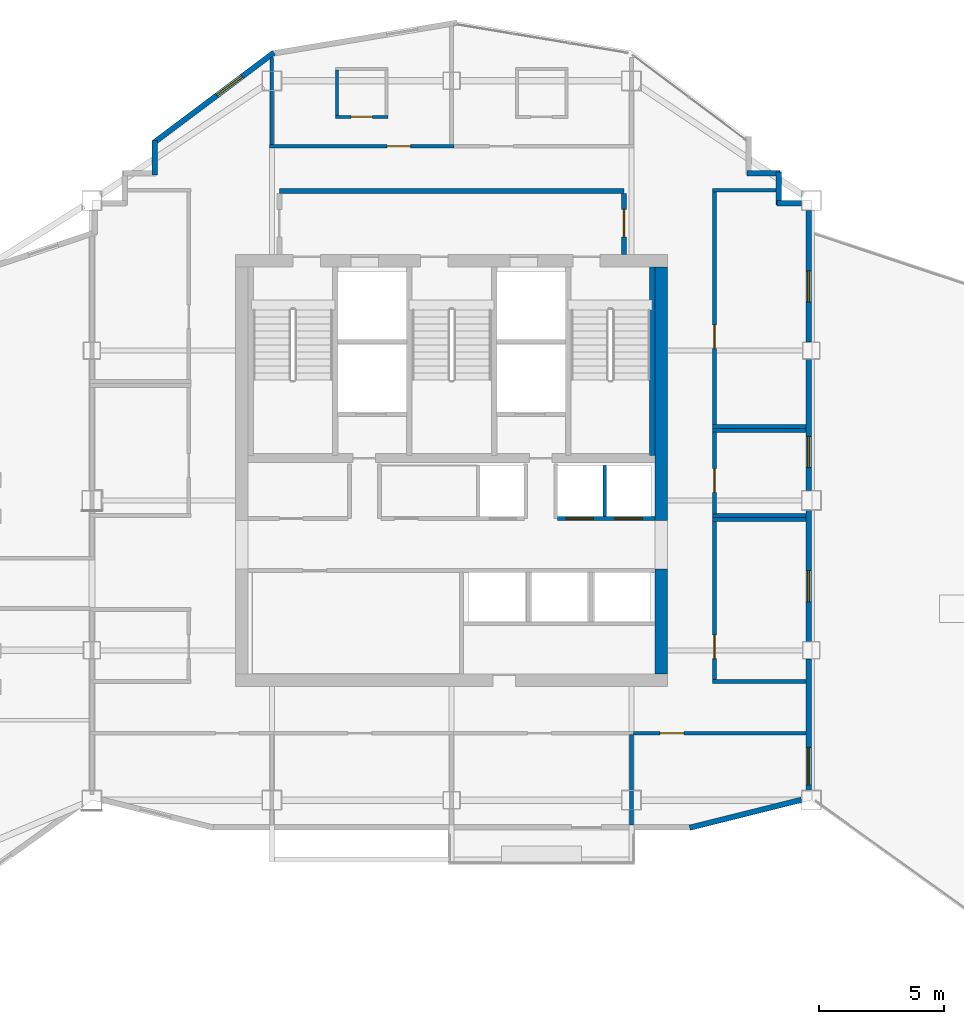
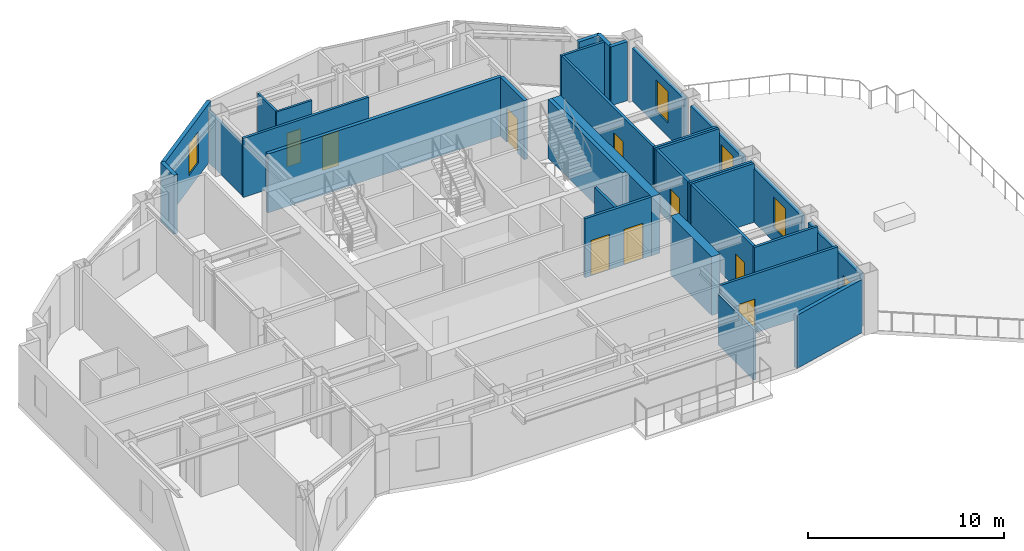
# One storey, part 7 of 10: 32 walls, 10 doors, 4 windows, 14 openings.
"""IFC4 building model written with IfcOpenShell, lengths in metres."""

from ifc_helpers import new_model, si_unit, direction, frame, frame_2d, origin, place, context, subcontext, project, spatial, rectangle, extrude, material, layer, layer_set, type_object, element, fill, save


model = new_model("IFC4")

# Units and contexts
model_context = context("Model", 3, precision=1e-05, world=origin(), true_north=direction((0.0, 1.0)))
body_context = subcontext(model_context, "Body", "Model", "MODEL_VIEW")
ifc_project = project(units=[si_unit("LENGTHUNIT", "METRE"), si_unit("AREAUNIT", "SQUARE_METRE"), si_unit("VOLUMEUNIT", "CUBIC_METRE"), si_unit("PLANEANGLEUNIT", "RADIAN"), si_unit("MASSUNIT", "GRAM", prefix="KILO")], contexts=[model_context])

# Site, building, storey
site_placement = place(None, origin())
site = spatial("IfcSite", under=ifc_project, at=site_placement, CompositionType="ELEMENT")
building_placement = place(site_placement, origin())
building = spatial("IfcBuilding", under=site, at=building_placement, Name="Haolan Belvedere Tower", CompositionType="ELEMENT")
storey_placement = place(building_placement, frame((0.0, 0.0, 235.199951171875)))
storey = spatial("IfcBuildingStorey", under=building, at=storey_placement, Name="L59", CompositionType="ELEMENT", Elevation=235.199951171875)

# Walls
ifc_material_1 = material(Name="Concrete C50/60", Category="concrete")
ifc_layer_1 = layer(ifc_material_1, 0.5, Name="Concrete C50/60")
ifc_layer_set_1 = layer_set([ifc_layer_1], Name="Concrete C50/60")
wall_type_1 = type_object("IfcWallType", Name="WL-CORE-500", PredefinedType="SHEAR", material=ifc_layer_set_1)
wall_1_placement = place(storey_placement, frame((46.800048828125, 26.64990234375, 0.0), z_axis=(0.0, 0.0, 1.0), x_axis=(0.0, 1.0, 0.0)))
element("IfcWall", 1, at=wall_1_placement, inside=storey, type_object=wall_type_1, Name="L59 central core shear wall ES", PredefinedType="SHEAR", context=body_context, shape_type="SweptSolid", body=[
    extrude(rectangle(XDim=4.2001953125, YDim=0.5, at=frame_2d((2.10009765625, 0.0))), origin(), (0.0, 0.0, 1.0), 3.670166015625),
])
wall_2_placement = place(storey_placement, frame((46.800048828125, 32.800048828125, 0.0), z_axis=(0.0, 0.0, 1.0), x_axis=(0.0, 1.0, 0.0)))
element("IfcWall", 2, at=wall_2_placement, inside=storey, type_object=wall_type_1, Name="L59 central core shear wall EN", PredefinedType="SHEAR", context=body_context, shape_type="SweptSolid", body=[
    extrude(rectangle(XDim=10.14990234375, YDim=0.5, at=frame_2d((5.074951171875, 0.0))), origin(), (0.0, 0.0, 1.0), 3.670166015625),
])
ifc_material_2 = material(Name="Precast concrete C40/50", Category="concrete")
ifc_layer_2 = layer(ifc_material_2, 0.219970703125, Name="Precast concrete C40/50")
ifc_layer_set_2 = layer_set([ifc_layer_2], Name="Precast concrete C40/50")
wall_type_2 = type_object("IfcWallType", Name="WL-EXT-220", PredefinedType="SOLIDWALL", material=ifc_layer_set_2)
wall_3_placement = place(storey_placement, frame((47.93310546875, 20.49658203125, 0.0), z_axis=(0.0, 0.0, 1.0), x_axis=(0.970133159038, 0.242572986408, 0.0)))
element("IfcWall", 3, at=wall_3_placement, inside=storey, type_object=wall_type_2, Name="L59 pale-metal exterior spandrel wall 2.1", PredefinedType="SOLIDWALL", context=body_context, shape_type="SweptSolid", body=[
    extrude(rectangle(XDim=4.612548828125, YDim=0.219970703125, at=frame_2d((2.30615234375, 0.0))), origin(), (0.0, 0.0, 1.0), 3.31494140625),
])

# Wall, opening, door
wall_4_placement = place(storey_placement, frame((52.68994140625, 21.991943359375, 0.0), z_axis=(0.0, 0.0, 1.0), x_axis=(0.0, 1.0, 0.0)))
wall_4 = element("IfcWall", 4, at=wall_4_placement, inside=storey, type_object=wall_type_2, Name="L59 pale-metal exterior spandrel wall 3.1", PredefinedType="SOLIDWALL", context=body_context, shape_type="SweptSolid", body=[
    extrude(rectangle(XDim=5.26611328125, YDim=0.219970703125, at=frame_2d((2.633056640625, 0.0))), origin(), (0.0, 0.0, 1.0), 3.31494140625),
])
opening_1_placement = place(wall_4_placement, frame((1.719970703125, 0.0, 0.0), z_axis=(0.0, 0.0, 1.0), x_axis=(-1.0, 0.0, 0.0)))
opening_1 = element("IfcOpeningElement", 5, at=opening_1_placement, cuts=wall_4, Name="Opening TD-01", PredefinedType="OPENING", context=body_context, shape_type="SweptSolid", body=[
    extrude(rectangle(XDim=1.5, YDim=2.199951171875, at=frame_2d((0.75, 1.10009765625))), frame((0.0, 0.119873046875, 0.0), z_axis=(0.0, -1.0, 0.0), x_axis=(1.0, 0.0, 0.0)), (0.0, 0.0, 1.0), 0.239990234375),
])
ifc_material_3 = material(Name="Thermally broken pale-metal aluminium and Low-E glass", Category="aluminium")
door_type_1 = type_object("IfcDoorType", Name="DR-TER-1500", OperationType="DOUBLE_DOOR_SINGLE_SWING", PredefinedType="DOOR", material=ifc_material_3)
door_1_placement = place(opening_1_placement, origin())
door_1 = element("IfcDoor", 6, at=door_1_placement, inside=storey, type_object=door_type_1, Name="L59 garden terrace access door 1", OperationType="DOUBLE_DOOR_SINGLE_SWING", OverallHeight=2.199951171875, OverallWidth=1.5, PredefinedType="DOOR", context=body_context, shape_type="SweptSolid", body=[
    extrude(rectangle(XDim=1.5, YDim=2.199951171875, at=frame_2d((0.75, 1.10009765625))), frame((0.0, 0.02490234375, 0.0), z_axis=(0.0, -1.0, 0.0), x_axis=(1.0, 0.0, 0.0)), (0.0, 0.0, 1.0), 0.050048828125),
])
fill(opening_1, door_1)

# Wall, opening, window
wall_5_placement = place(storey_placement, frame((52.68994140625, 27.94189453125, 0.0), z_axis=(0.0, 0.0, 1.0), x_axis=(0.0, 1.0, 0.0)))
wall_5 = element("IfcWall", 7, at=wall_5_placement, inside=storey, type_object=wall_type_2, Name="L59 pale-metal exterior spandrel wall 3.2", PredefinedType="SOLIDWALL", context=body_context, shape_type="SweptSolid", body=[
    extrude(rectangle(XDim=5.26611328125, YDim=0.219970703125, at=frame_2d((2.633056640625, 0.0))), origin(), (0.0, 0.0, 1.0), 3.31494140625),
])
opening_2_placement = place(wall_5_placement, frame((1.60009765625, 0.0, 0.85009765625)))
opening_2 = element("IfcOpeningElement", 8, at=opening_2_placement, cuts=wall_5, Name="Opening W-04", PredefinedType="OPENING", context=body_context, shape_type="SweptSolid", body=[
    extrude(rectangle(XDim=1.25, YDim=1.949951171875, at=frame_2d((0.625, 0.97509765625))), frame((0.0, 0.119873046875, 0.0), z_axis=(0.0, -1.0, 0.0), x_axis=(1.0, 0.0, 0.0)), (0.0, 0.0, 1.0), 0.239990234375),
])
ifc_material_4 = material(Name="Anodised aluminium 6063-T6 and Low-E glass", Category="aluminium")
window_type = type_object("IfcWindowType", Name="WN-DECO-Z4", PartitioningType="SINGLE_PANEL", PredefinedType="WINDOW", material=ifc_material_4)
window_1_placement = place(opening_2_placement, origin())
window_1 = element("IfcWindow", 9, at=window_1_placement, inside=storey, type_object=window_type, Name="L59 Art Deco chevron window 1", OverallHeight=1.949951171875, OverallWidth=1.25, PartitioningType="SINGLE_PANEL", PredefinedType="WINDOW", context=body_context, shape_type="SweptSolid", body=[
    extrude(rectangle(XDim=1.25, YDim=1.949951171875, at=frame_2d((0.625, 0.97509765625))), frame((0.0, 0.030029296875, 0.0), z_axis=(0.0, -1.0, 0.0), x_axis=(1.0, 0.0, 0.0)), (0.0, 0.0, 1.0), 0.06005859375),
])
fill(opening_2, window_1)

wall_6_placement = place(storey_placement, frame((52.68994140625, 33.991943359375, 0.0), z_axis=(0.0, 0.0, 1.0), x_axis=(0.0, 1.0, 0.0)))
wall_6 = element("IfcWall", 10, at=wall_6_placement, inside=storey, type_object=wall_type_2, Name="L59 pale-metal exterior spandrel wall 3.3", PredefinedType="SOLIDWALL", context=body_context, shape_type="SweptSolid", body=[
    extrude(rectangle(XDim=5.26611328125, YDim=0.219970703125, at=frame_2d((2.633056640625, 0.0))), origin(), (0.0, 0.0, 1.0), 3.31494140625),
])
opening_3_placement = place(wall_6_placement, frame((0.923095703125, 0.0, 0.85009765625)))
opening_3 = element("IfcOpeningElement", 11, at=opening_3_placement, cuts=wall_6, Name="Opening W-04", PredefinedType="OPENING", context=body_context, shape_type="SweptSolid", body=[
    extrude(rectangle(XDim=1.25, YDim=1.949951171875, at=frame_2d((0.625, 0.97509765625))), frame((0.0, 0.119873046875, 0.0), z_axis=(0.0, -1.0, 0.0), x_axis=(1.0, 0.0, 0.0)), (0.0, 0.0, 1.0), 0.239990234375),
])
window_2_placement = place(opening_3_placement, origin())
window_2 = element("IfcWindow", 12, at=window_2_placement, inside=storey, type_object=window_type, Name="L59 Art Deco chevron window 1", OverallHeight=1.949951171875, OverallWidth=1.25, PartitioningType="SINGLE_PANEL", PredefinedType="WINDOW", context=body_context, shape_type="SweptSolid", body=[
    extrude(rectangle(XDim=1.25, YDim=1.949951171875, at=frame_2d((0.625, 0.97509765625))), frame((0.0, 0.030029296875, 0.0), z_axis=(0.0, -1.0, 0.0), x_axis=(1.0, 0.0, 0.0)), (0.0, 0.0, 1.0), 0.06005859375),
])
fill(opening_3, window_2)

wall_7_placement = place(storey_placement, frame((52.68994140625, 39.94189453125, 0.0), z_axis=(0.0, 0.0, 1.0), x_axis=(0.0, 1.0, 0.0)))
wall_7 = element("IfcWall", 13, at=wall_7_placement, inside=storey, type_object=wall_type_2, Name="L59 pale-metal exterior spandrel wall 3.4", PredefinedType="SOLIDWALL", context=body_context, shape_type="SweptSolid", body=[
    extrude(rectangle(XDim=5.26611328125, YDim=0.219970703125, at=frame_2d((2.633056640625, 0.0))), origin(), (0.0, 0.0, 1.0), 3.31494140625),
])
opening_4_placement = place(wall_7_placement, frame((1.60009765625, 0.0, 0.85009765625)))
opening_4 = element("IfcOpeningElement", 14, at=opening_4_placement, cuts=wall_7, Name="Opening W-04", PredefinedType="OPENING", context=body_context, shape_type="SweptSolid", body=[
    extrude(rectangle(XDim=1.25, YDim=1.949951171875, at=frame_2d((0.625, 0.97509765625))), frame((0.0, 0.119873046875, 0.0), z_axis=(0.0, -1.0, 0.0), x_axis=(1.0, 0.0, 0.0)), (0.0, 0.0, 1.0), 0.239990234375),
])
window_3_placement = place(opening_4_placement, origin())
window_3 = element("IfcWindow", 15, at=window_3_placement, inside=storey, type_object=window_type, Name="L59 Art Deco chevron window 1", OverallHeight=1.949951171875, OverallWidth=1.25, PartitioningType="SINGLE_PANEL", PredefinedType="WINDOW", context=body_context, shape_type="SweptSolid", body=[
    extrude(rectangle(XDim=1.25, YDim=1.949951171875, at=frame_2d((0.625, 0.97509765625))), frame((0.0, 0.030029296875, 0.0), z_axis=(0.0, -1.0, 0.0), x_axis=(1.0, 0.0, 0.0)), (0.0, 0.0, 1.0), 0.06005859375),
])
fill(opening_4, window_3)

# Walls
wall_8_placement = place(storey_placement, frame((52.407958984375, 45.489990234375, 0.0), z_axis=(0.0, 0.0, 1.0), x_axis=(-1.0, 0.0, 0.0)))
element("IfcWall", 16, at=wall_8_placement, inside=storey, type_object=wall_type_2, Name="L59 pale-metal exterior spandrel wall 4.1", PredefinedType="SOLIDWALL", context=body_context, shape_type="SweptSolid", body=[
    extrude(rectangle(XDim=0.972900390625, YDim=0.219970703125, at=frame_2d((0.486328125, 0.0))), origin(), (0.0, 0.0, 1.0), 3.670166015625),
])
wall_9_placement = place(storey_placement, frame((51.489990234375, 45.43505859375, 0.0), z_axis=(0.0, 0.0, 1.0), x_axis=(0.0, 1.0, 0.0)))
element("IfcWall", 17, at=wall_9_placement, inside=storey, type_object=wall_type_2, Name="L59 pale-metal exterior spandrel wall 5.1", PredefinedType="SOLIDWALL", context=body_context, shape_type="SweptSolid", body=[
    extrude(rectangle(XDim=1.31005859375, YDim=0.219970703125, at=frame_2d((0.655029296875, 0.0))), origin(), (0.0, 0.0, 1.0), 3.670166015625),
])
wall_10_placement = place(storey_placement, frame((51.544921875, 46.68994140625, 0.0), z_axis=(0.0, 0.0, 1.0), x_axis=(-1.0, 0.0, 0.0)))
element("IfcWall", 18, at=wall_10_placement, inside=storey, type_object=wall_type_2, Name="L59 pale-metal exterior spandrel wall 6.1", PredefinedType="SOLIDWALL", context=body_context, shape_type="SweptSolid", body=[
    extrude(rectangle(XDim=1.309814453125, YDim=0.219970703125, at=frame_2d((0.65478515625, 0.0))), origin(), (0.0, 0.0, 1.0), 3.670166015625),
])

# Wall, opening, window
wall_11_placement = place(storey_placement, frame((31.28857421875, 51.52880859375, 0.0), z_axis=(0.0, 0.0, 1.0), x_axis=(-0.800014580093, -0.599980559383, 0.0)))
wall_11 = element("IfcWall", 19, at=wall_11_placement, inside=storey, type_object=wall_type_2, Name="L59 pale-metal exterior spandrel wall 11.1", PredefinedType="SOLIDWALL", context=body_context, shape_type="SweptSolid", body=[
    extrude(rectangle(XDim=6.028076171875, YDim=0.219970703125, at=frame_2d((3.01416015625, 0.0))), origin(), (0.0, 0.0, 1.0), 3.670166015625),
])
opening_5_placement = place(wall_11_placement, frame((1.60009765625, 0.0, 0.85009765625)))
opening_5 = element("IfcOpeningElement", 20, at=opening_5_placement, cuts=wall_11, Name="Opening W-04", PredefinedType="OPENING", context=body_context, shape_type="SweptSolid", body=[
    extrude(rectangle(XDim=1.25, YDim=1.949951171875, at=frame_2d((0.625, 0.97509765625))), frame((0.0, 0.119873046875, 0.0), z_axis=(0.0, -1.0, 0.0), x_axis=(1.0, 0.0, 0.0)), (0.0, 0.0, 1.0), 0.239990234375),
])
window_4_placement = place(opening_5_placement, origin())
window_4 = element("IfcWindow", 21, at=window_4_placement, inside=storey, type_object=window_type, Name="L59 Art Deco chevron window 1", OverallHeight=1.949951171875, OverallWidth=1.25, PartitioningType="SINGLE_PANEL", PredefinedType="WINDOW", context=body_context, shape_type="SweptSolid", body=[
    extrude(rectangle(XDim=1.25, YDim=1.949951171875, at=frame_2d((0.625, 0.97509765625))), frame((0.0, 0.030029296875, 0.0), z_axis=(0.0, -1.0, 0.0), x_axis=(1.0, 0.0, 0.0)), (0.0, 0.0, 1.0), 0.06005859375),
])
fill(opening_5, window_4)

# Walls
wall_12_placement = place(storey_placement, frame((26.510009765625, 48.0, 0.0), z_axis=(0.0, 0.0, 1.0), x_axis=(0.0, -1.0, 0.0)))
element("IfcWall", 22, at=wall_12_placement, inside=storey, type_object=wall_type_2, Name="L59 pale-metal exterior spandrel wall 12.1", PredefinedType="SOLIDWALL", context=body_context, shape_type="SweptSolid", body=[
    extrude(rectangle(XDim=1.364990234375, YDim=0.219970703125, at=frame_2d((0.6826171875, 0.0))), origin(), (0.0, 0.0, 1.0), 3.670166015625),
])
ifc_material_5 = material(Name="Concrete C40/50", Category="concrete")
ifc_layer_3 = layer(ifc_material_5, 0.199951171875, Name="Concrete C40/50")
ifc_layer_set_3 = layer_set([ifc_layer_3], Name="Concrete C40/50")
wall_type_3 = type_object("IfcWallType", Name="WL-FIRE-200", PredefinedType="SOLIDWALL", material=ifc_layer_set_3)
wall_13_placement = place(storey_placement, frame((31.5, 45.97998046875, 0.0), z_axis=(0.0, 0.0, 1.0), x_axis=(1.0, 0.0, 0.0)))
element("IfcWall", 23, at=wall_13_placement, inside=storey, type_object=wall_type_3, Name="L59 interior partition IW-L59-FFL-N", PredefinedType="SOLIDWALL", context=body_context, shape_type="SweptSolid", body=[
    extrude(rectangle(XDim=13.800048828125, YDim=0.199951171875, at=frame_2d((6.89990234375, 0.0))), origin(), (0.0, 0.0, 1.0), 3.670166015625),
])

# Wall, opening, door
wall_14_placement = place(storey_placement, frame((45.300048828125, 43.449951171875, 0.0), z_axis=(0.0, 0.0, 1.0), x_axis=(0.0, 1.0, 0.0)))
wall_14 = element("IfcWall", 24, at=wall_14_placement, inside=storey, type_object=wall_type_3, Name="L59 interior partition IW-L59-FFL-E", PredefinedType="SOLIDWALL", context=body_context, shape_type="SweptSolid", body=[
    extrude(rectangle(XDim=2.445068359375, YDim=0.199951171875, at=frame_2d((1.22265625, 0.0))), origin(), (0.0, 0.0, 1.0), 3.670166015625),
])
opening_6_placement = place(wall_14_placement, frame((0.699951171875, 0.0, 0.0)))
opening_6 = element("IfcOpeningElement", 25, at=opening_6_placement, cuts=wall_14, Name="Opening FD-03", PredefinedType="OPENING", context=body_context, shape_type="SweptSolid", body=[
    extrude(rectangle(XDim=1.10009765625, YDim=2.14990234375, at=frame_2d((0.550048828125, 1.074951171875))), frame((0.0, 0.10986328125, 0.0), z_axis=(0.0, -1.0, 0.0), x_axis=(1.0, 0.0, 0.0)), (0.0, 0.0, 1.0), 0.219970703125),
])
ifc_material_6 = material(Name="Galvanised fire-rated steel", Category="steel")
door_type_2 = type_object("IfcDoorType", Name="DR-FD90-1100", OperationType="NOTDEFINED", PredefinedType="DOOR", material=ifc_material_6)
door_2_placement = place(opening_6_placement, origin())
door_2 = element("IfcDoor", 26, at=door_2_placement, inside=storey, type_object=door_type_2, Name="L59 door ID-L59-FFL-DE", OperationType="SINGLE_SWING_RIGHT", OverallHeight=2.14990234375, OverallWidth=1.10009765625, PredefinedType="DOOR", context=body_context, shape_type="SweptSolid", body=[
    extrude(rectangle(XDim=1.10009765625, YDim=2.14990234375, at=frame_2d((0.550048828125, 1.074951171875))), frame((0.0, 0.02490234375, 0.0), z_axis=(0.0, -1.0, 0.0), x_axis=(1.0, 0.0, 0.0)), (0.0, 0.0, 1.0), 0.050048828125),
])
fill(opening_6, door_2)

# Walls
ifc_material_7 = material(Name="Double gypsum acoustic stud partition", Category="masonry")
ifc_layer_4 = layer(ifc_material_7, 0.14990234375, Name="Double gypsum acoustic stud partition")
ifc_layer_set_4 = layer_set([ifc_layer_4], Name="Double gypsum acoustic stud partition")
wall_type_4 = type_object("IfcWallType", Name="WL-PART-150", PredefinedType="PARTITIONING", material=ifc_layer_set_4)
for number, where, z_axis, x_axis, name in (
    (27, (48.840087890625, 36.39990234375, 0.0), (0.0, 0.0, 1.0), (1.0, 0.0, 0.0), "L59 interior partition IW-L59-AWC-N"),
    (28, (48.840087890625, 33.0, 0.0), (0.0, 0.0, 1.0), (1.0, 0.0, 0.0), "L59 interior partition IW-L59-AWC-S"),
):
    element("IfcWall", number, at=place(storey_placement, frame(where, z_axis=z_axis, x_axis=x_axis)), inside=storey, type_object=wall_type_4, Name=name, PredefinedType="PARTITIONING", context=body_context, shape_type="SweptSolid", body=[
        extrude(rectangle(XDim=3.747802734375, YDim=0.14990234375, at=frame_2d((1.8740234375, 0.0))), origin(), (0.0, 0.0, 1.0), 3.670166015625),
    ])

# Wall, opening, door
wall_15_placement = place(storey_placement, frame((48.919921875, 33.06005859375, 0.0), z_axis=(0.0, 0.0, 1.0), x_axis=(0.0, 1.0, 0.0)))
wall_15 = element("IfcWall", 29, at=wall_15_placement, inside=storey, type_object=wall_type_4, Name="L59 interior partition IW-L59-AWC-W", PredefinedType="PARTITIONING", context=body_context, shape_type="SweptSolid", body=[
    extrude(rectangle(XDim=3.280029296875, YDim=0.14990234375, at=frame_2d((1.64013671875, 0.0))), origin(), (0.0, 0.0, 1.0), 3.670166015625),
])
opening_7_placement = place(wall_15_placement, frame((0.860107421875, 0.0, 0.0)))
opening_7 = element("IfcOpeningElement", 30, at=opening_7_placement, cuts=wall_15, Name="Opening ID-03", PredefinedType="OPENING", context=body_context, shape_type="SweptSolid", body=[
    extrude(rectangle(XDim=0.949951171875, YDim=2.1201171875, at=frame_2d((0.47509765625, 1.06005859375))), frame((0.0, 0.0849609375, 0.0), z_axis=(0.0, -1.0, 0.0), x_axis=(1.0, 0.0, 0.0)), (0.0, 0.0, 1.0), 0.169921875),
])
ifc_material_8 = material(Name="Painted solid-core timber", Category="wood")
door_type_3 = type_object("IfcDoorType", Name="DR-INT-950", OperationType="NOTDEFINED", PredefinedType="DOOR", material=ifc_material_8)
door_3_placement = place(opening_7_placement, origin())
door_3 = element("IfcDoor", 31, at=door_3_placement, inside=storey, type_object=door_type_3, Name="L59 door ID-L59-AWC", OperationType="SINGLE_SWING_RIGHT", OverallHeight=2.1201171875, OverallWidth=0.949951171875, PredefinedType="DOOR", context=body_context, shape_type="SweptSolid", body=[
    extrude(rectangle(XDim=0.949951171875, YDim=2.1201171875, at=frame_2d((0.47509765625, 1.06005859375))), frame((0.0, 0.02490234375, 0.0), z_axis=(0.0, -1.0, 0.0), x_axis=(1.0, 0.0, 0.0)), (0.0, 0.0, 1.0), 0.050048828125),
])
fill(opening_7, door_3)

# Walls
wall_16_placement = place(storey_placement, frame((48.840087890625, 46.02001953125, 0.0), z_axis=(0.0, 0.0, 1.0), x_axis=(1.0, 0.0, 0.0)))
element("IfcWall", 32, at=wall_16_placement, inside=storey, type_object=wall_type_4, Name="L59 interior partition IW-L59-SAL-N", PredefinedType="PARTITIONING", context=body_context, shape_type="SweptSolid", body=[
    extrude(rectangle(XDim=2.5478515625, YDim=0.14990234375, at=frame_2d((1.27392578125, 0.0))), origin(), (0.0, 0.0, 1.0), 3.670166015625),
])
wall_17_placement = place(storey_placement, frame((48.840087890625, 36.56005859375, 0.0), z_axis=(0.0, 0.0, 1.0), x_axis=(1.0, 0.0, 0.0)))
element("IfcWall", 33, at=wall_17_placement, inside=storey, type_object=wall_type_4, Name="L59 interior partition IW-L59-SAL-S", PredefinedType="PARTITIONING", context=body_context, shape_type="SweptSolid", body=[
    extrude(rectangle(XDim=3.747802734375, YDim=0.14990234375, at=frame_2d((1.8740234375, 0.0))), origin(), (0.0, 0.0, 1.0), 3.670166015625),
])

# Wall, opening, door
wall_18_placement = place(storey_placement, frame((48.919921875, 36.6201171875, 0.0), z_axis=(0.0, 0.0, 1.0), x_axis=(0.0, 1.0, 0.0)))
wall_18 = element("IfcWall", 34, at=wall_18_placement, inside=storey, type_object=wall_type_4, Name="L59 interior partition IW-L59-SAL-W", PredefinedType="PARTITIONING", context=body_context, shape_type="SweptSolid", body=[
    extrude(rectangle(XDim=9.33984375, YDim=0.14990234375, at=frame_2d((4.669921875, 0.0))), origin(), (0.0, 0.0, 1.0), 3.670166015625),
])
opening_8_placement = place(wall_18_placement, frame((3.06005859375, 0.0, 0.0)))
opening_8 = element("IfcOpeningElement", 35, at=opening_8_placement, cuts=wall_18, Name="Opening ID-03", PredefinedType="OPENING", context=body_context, shape_type="SweptSolid", body=[
    extrude(rectangle(XDim=0.949951171875, YDim=2.1201171875, at=frame_2d((0.47509765625, 1.06005859375))), frame((0.0, 0.0849609375, 0.0), z_axis=(0.0, -1.0, 0.0), x_axis=(1.0, 0.0, 0.0)), (0.0, 0.0, 1.0), 0.169921875),
])
door_4_placement = place(opening_8_placement, origin())
door_4 = element("IfcDoor", 36, at=door_4_placement, inside=storey, type_object=door_type_3, Name="L59 door ID-L59-SAL", OperationType="SINGLE_SWING_LEFT", OverallHeight=2.1201171875, OverallWidth=0.949951171875, PredefinedType="DOOR", context=body_context, shape_type="SweptSolid", body=[
    extrude(rectangle(XDim=0.949951171875, YDim=2.1201171875, at=frame_2d((0.47509765625, 1.06005859375))), frame((0.0, 0.02490234375, 0.0), z_axis=(0.0, -1.0, 0.0), x_axis=(1.0, 0.0, 0.0)), (0.0, 0.0, 1.0), 0.050048828125),
])
fill(opening_8, door_4)

# Walls
for number, where, z_axis, x_axis, name in (
    (37, (48.840087890625, 32.840087890625, 0.0), (0.0, 0.0, 1.0), (1.0, 0.0, 0.0), "L59 interior partition IW-L59-PKTE-N"),
    (38, (48.840087890625, 26.35009765625, 0.0), (0.0, 0.0, 1.0), (1.0, 0.0, 0.0), "L59 interior partition IW-L59-PKTE-S"),
):
    element("IfcWall", number, at=place(storey_placement, frame(where, z_axis=z_axis, x_axis=x_axis)), inside=storey, type_object=wall_type_4, Name=name, PredefinedType="PARTITIONING", context=body_context, shape_type="SweptSolid", body=[
        extrude(rectangle(XDim=3.747802734375, YDim=0.14990234375, at=frame_2d((1.8740234375, 0.0))), origin(), (0.0, 0.0, 1.0), 3.670166015625),
    ])

# Wall, opening, door
wall_19_placement = place(storey_placement, frame((48.919921875, 26.409912109375, 0.0), z_axis=(0.0, 0.0, 1.0), x_axis=(0.0, 1.0, 0.0)))
wall_19 = element("IfcWall", 39, at=wall_19_placement, inside=storey, type_object=wall_type_4, Name="L59 interior partition IW-L59-PKTE-W", PredefinedType="PARTITIONING", context=body_context, shape_type="SweptSolid", body=[
    extrude(rectangle(XDim=6.3701171875, YDim=0.14990234375, at=frame_2d((3.18505859375, 0.0))), origin(), (0.0, 0.0, 1.0), 3.670166015625),
])
opening_9_placement = place(wall_19_placement, frame((0.860107421875, 0.0, 0.0)))
opening_9 = element("IfcOpeningElement", 40, at=opening_9_placement, cuts=wall_19, Name="Opening ID-03", PredefinedType="OPENING", context=body_context, shape_type="SweptSolid", body=[
    extrude(rectangle(XDim=0.949951171875, YDim=2.1201171875, at=frame_2d((0.47509765625, 1.06005859375))), frame((0.0, 0.0849609375, 0.0), z_axis=(0.0, -1.0, 0.0), x_axis=(1.0, 0.0, 0.0)), (0.0, 0.0, 1.0), 0.169921875),
])
door_5_placement = place(opening_9_placement, origin())
door_5 = element("IfcDoor", 41, at=door_5_placement, inside=storey, type_object=door_type_3, Name="L59 door ID-L59-PKTE", OperationType="SINGLE_SWING_RIGHT", OverallHeight=2.1201171875, OverallWidth=0.949951171875, PredefinedType="DOOR", context=body_context, shape_type="SweptSolid", body=[
    extrude(rectangle(XDim=0.949951171875, YDim=2.1201171875, at=frame_2d((0.47509765625, 1.06005859375))), frame((0.0, 0.02490234375, 0.0), z_axis=(0.0, -1.0, 0.0), x_axis=(1.0, 0.0, 0.0)), (0.0, 0.0, 1.0), 0.050048828125),
])
fill(opening_9, door_5)

# Wall
wall_20_placement = place(storey_placement, frame((45.60009765625, 20.612060546875, 0.0), z_axis=(0.0, 0.0, 1.0), x_axis=(0.0, 1.0, 0.0)))
element("IfcWall", 42, at=wall_20_placement, inside=storey, type_object=wall_type_4, Name="L59 interior partition IW-L59-KS3-E", PredefinedType="PARTITIONING", context=body_context, shape_type="SweptSolid", body=[
    extrude(rectangle(XDim=3.60791015625, YDim=0.14990234375, at=frame_2d((1.803955078125, 0.0))), origin(), (0.0, 0.0, 1.0), 3.155029296875),
])

# Wall, opening, door
wall_21_placement = place(storey_placement, frame((45.681884765625, 24.280029296875, 0.0), z_axis=(0.0, 0.0, 1.0), x_axis=(1.0, 0.0, 0.0)))
wall_21 = element("IfcWall", 43, at=wall_21_placement, inside=storey, type_object=wall_type_4, Name="L59 interior partition IW-L59-KS4-N", PredefinedType="PARTITIONING", context=body_context, shape_type="SweptSolid", body=[
    extrude(rectangle(XDim=6.906005859375, YDim=0.14990234375, at=frame_2d((3.453125, 0.0))), origin(), (0.0, 0.0, 1.0), 3.670166015625),
])
opening_10_placement = place(wall_21_placement, frame((2.01806640625, 0.0, 0.0), z_axis=(0.0, 0.0, 1.0), x_axis=(-1.0, 0.0, 0.0)))
opening_10 = element("IfcOpeningElement", 44, at=opening_10_placement, cuts=wall_21, Name="Opening ID-03", PredefinedType="OPENING", context=body_context, shape_type="SweptSolid", body=[
    extrude(rectangle(XDim=0.949951171875, YDim=2.1201171875, at=frame_2d((0.47509765625, 1.06005859375))), frame((0.0, 0.0849609375, 0.0), z_axis=(0.0, -1.0, 0.0), x_axis=(1.0, 0.0, 0.0)), (0.0, 0.0, 1.0), 0.169921875),
])
door_6_placement = place(opening_10_placement, origin())
door_6 = element("IfcDoor", 45, at=door_6_placement, inside=storey, type_object=door_type_3, Name="L59 door ID-L59-KS4", OperationType="SINGLE_SWING_RIGHT", OverallHeight=2.1201171875, OverallWidth=0.949951171875, PredefinedType="DOOR", context=body_context, shape_type="SweptSolid", body=[
    extrude(rectangle(XDim=0.949951171875, YDim=2.1201171875, at=frame_2d((0.47509765625, 1.06005859375))), frame((0.0, 0.02490234375, 0.0), z_axis=(0.0, -1.0, 0.0), x_axis=(1.0, 0.0, 0.0)), (0.0, 0.0, 1.0), 0.050048828125),
])
fill(opening_10, door_6)

wall_22_placement = place(storey_placement, frame((31.10009765625, 47.780029296875, 0.0), z_axis=(0.0, 0.0, 1.0), x_axis=(1.0, 0.0, 0.0)))
wall_22 = element("IfcWall", 46, at=wall_22_placement, inside=storey, type_object=wall_type_4, Name="L59 interior partition IW-L59-KN2-S", PredefinedType="PARTITIONING", context=body_context, shape_type="SweptSolid", body=[
    extrude(rectangle(XDim=7.39990234375, YDim=0.14990234375, at=frame_2d((3.699951171875, 0.0))), origin(), (0.0, 0.0, 1.0), 3.670166015625),
])
opening_11_placement = place(wall_22_placement, frame((4.713623046875, 0.0, 0.0)))
opening_11 = element("IfcOpeningElement", 47, at=opening_11_placement, cuts=wall_22, Name="Opening ID-02", PredefinedType="OPENING", context=body_context, shape_type="SweptSolid", body=[
    extrude(rectangle(XDim=0.949951171875, YDim=2.14990234375, at=frame_2d((0.47509765625, 1.074951171875))), frame((0.0, 0.0849609375, 0.0), z_axis=(0.0, -1.0, 0.0), x_axis=(1.0, 0.0, 0.0)), (0.0, 0.0, 1.0), 0.169921875),
])
ifc_material_9 = material(Name="Acoustic oak veneer fire-rated timber", Category="wood")
door_type_4 = type_object("IfcDoorType", Name="DR-GUEST-950", OperationType="NOTDEFINED", PredefinedType="DOOR", material=ifc_material_9)
door_7_placement = place(opening_11_placement, origin())
door_7 = element("IfcDoor", 48, at=door_7_placement, inside=storey, type_object=door_type_4, Name="L59 door ID-L59-KN2-ENT", OperationType="SINGLE_SWING_RIGHT", OverallHeight=2.14990234375, OverallWidth=0.949951171875, PredefinedType="DOOR", context=body_context, shape_type="SweptSolid", body=[
    extrude(rectangle(XDim=0.949951171875, YDim=2.14990234375, at=frame_2d((0.47509765625, 1.074951171875))), frame((0.0, 0.02490234375, 0.0), z_axis=(0.0, -1.0, 0.0), x_axis=(1.0, 0.0, 0.0)), (0.0, 0.0, 1.0), 0.050048828125),
])
fill(opening_11, door_7)

# Wall
wall_23_placement = place(storey_placement, frame((31.199951171875, 47.840087890625, 0.0), z_axis=(0.0, 0.0, 1.0), x_axis=(0.0, 1.0, 0.0)))
element("IfcWall", 49, at=wall_23_placement, inside=storey, type_object=wall_type_4, Name="L59 interior partition IW-L59-KN2-W", PredefinedType="PARTITIONING", context=body_context, shape_type="SweptSolid", body=[
    extrude(rectangle(XDim=3.494873046875, YDim=0.14990234375, at=frame_2d((1.74755859375, 0.0))), origin(), (0.0, 0.0, 1.0), 3.205078125),
])

# Wall, openings, doors
ifc_material_10 = material(Name="Gypsum fire shaftwall assembly", Category="masonry")
ifc_layer_5 = layer(ifc_material_10, 0.1650390625, Name="Gypsum fire shaftwall assembly")
ifc_layer_set_5 = layer_set([ifc_layer_5], Name="Gypsum fire shaftwall assembly")
wall_type_5 = type_object("IfcWallType", Name="WL-SHAFT-160", PredefinedType="SOLIDWALL", material=ifc_layer_set_5)
wall_24_placement = place(storey_placement, frame((42.6298828125, 32.8798828125, 0.0), z_axis=(0.0, 0.0, 1.0), x_axis=(1.0, 0.0, 0.0)))
wall_24 = element("IfcWall", 50, at=wall_24_placement, inside=storey, type_object=wall_type_5, Name="L59 interior partition IW-L59-ROW-PN3", PredefinedType="SOLIDWALL", context=body_context, shape_type="SweptSolid", body=[
    extrude(rectangle(XDim=3.920166015625, YDim=0.159912109375, at=frame_2d((1.9599609375, 0.0))), origin(), (0.0, 0.0, 1.0), 3.670166015625),
])
opening_12_placement = place(wall_24_placement, frame((1.4501953125, 0.0, 0.0), z_axis=(0.0, 0.0, 1.0), x_axis=(-1.0, 0.0, 0.0)))
opening_12 = element("IfcOpeningElement", 51, at=opening_12_placement, cuts=wall_24, Name="Opening LD-01", PredefinedType="OPENING", context=body_context, shape_type="SweptSolid", body=[
    extrude(rectangle(XDim=1.10009765625, YDim=2.199951171875, at=frame_2d((0.550048828125, 1.10009765625))), frame((0.0, 0.08984375, 0.0), z_axis=(0.0, -1.0, 0.0), x_axis=(1.0, 0.0, 0.0)), (0.0, 0.0, 1.0), 0.179931640625),
])
opening_13_placement = place(wall_24_placement, frame((3.41015625, 0.0, 0.0), z_axis=(0.0, 0.0, 1.0), x_axis=(-1.0, 0.0, 0.0)))
opening_13 = element("IfcOpeningElement", 52, at=opening_13_placement, cuts=wall_24, Name="Opening LD-01", PredefinedType="OPENING", context=body_context, shape_type="SweptSolid", body=[
    extrude(rectangle(XDim=1.10009765625, YDim=2.199951171875, at=frame_2d((0.550048828125, 1.10009765625))), frame((0.0, 0.08984375, 0.0), z_axis=(0.0, -1.0, 0.0), x_axis=(1.0, 0.0, 0.0)), (0.0, 0.0, 1.0), 0.179931640625),
])
ifc_material_11 = material(Name="Brushed champagne stainless steel 316L", Category="steel")
door_type_5 = type_object("IfcDoorType", Name="DR-LIFT-1100", OperationType="SLIDING_TO_LEFT", PredefinedType="DOOR", material=ifc_material_11)
door_8_placement = place(opening_12_placement, origin())
door_8 = element("IfcDoor", 53, at=door_8_placement, inside=storey, type_object=door_type_5, Name="L59 door ID-L59-LD-PH2", OperationType="SLIDING_TO_RIGHT", OverallHeight=2.199951171875, OverallWidth=1.10009765625, PredefinedType="DOOR", context=body_context, shape_type="SweptSolid", body=[
    extrude(rectangle(XDim=1.10009765625, YDim=2.199951171875, at=frame_2d((0.550048828125, 1.10009765625))), frame((0.0, 0.02490234375, 0.0), z_axis=(0.0, -1.0, 0.0), x_axis=(1.0, 0.0, 0.0)), (0.0, 0.0, 1.0), 0.050048828125),
])
fill(opening_12, door_8)
door_9_placement = place(opening_13_placement, origin())
door_9 = element("IfcDoor", 54, at=door_9_placement, inside=storey, type_object=door_type_5, Name="L59 door ID-L59-LD-PH3", OperationType="SLIDING_TO_RIGHT", OverallHeight=2.199951171875, OverallWidth=1.10009765625, PredefinedType="DOOR", context=body_context, shape_type="SweptSolid", body=[
    extrude(rectangle(XDim=1.10009765625, YDim=2.199951171875, at=frame_2d((0.550048828125, 1.10009765625))), frame((0.0, 0.02490234375, 0.0), z_axis=(0.0, -1.0, 0.0), x_axis=(1.0, 0.0, 0.0)), (0.0, 0.0, 1.0), 0.050048828125),
])
fill(opening_13, door_9)

# Walls
wall_25_placement = place(storey_placement, frame((44.530029296875, 32.949951171875, 0.0), z_axis=(0.0, 0.0, 1.0), x_axis=(0.0, 1.0, 0.0)))
element("IfcWall", 55, at=wall_25_placement, inside=storey, type_object=wall_type_5, Name="L59 interior partition IW-L59-DIV-PH2", PredefinedType="SOLIDWALL", context=body_context, shape_type="SweptSolid", body=[
    extrude(rectangle(XDim=2.050048828125, YDim=0.14990234375, at=frame_2d((1.02490234375, 0.0))), origin(), (0.0, 0.0, 1.0), 3.670166015625),
])
ifc_layer_6 = layer(ifc_material_1, 0.219970703125, Name="Concrete C50/60")
ifc_layer_set_6 = layer_set([ifc_layer_6], Name="Concrete C50/60")
wall_type_6 = type_object("IfcWallType", Name="WL-STAIR-220", PredefinedType="SHEAR", material=ifc_layer_set_6)
wall_26_placement = place(storey_placement, frame((46.43798828125, 35.389892578125, 0.0), z_axis=(0.0, 0.0, 1.0), x_axis=(0.0, 1.0, 0.0)))
element("IfcWall", 56, at=wall_26_placement, inside=storey, type_object=wall_type_6, Name="L59 structural stair core wall ST2E", PredefinedType="SHEAR", context=body_context, shape_type="SweptSolid", body=[
    extrude(rectangle(XDim=7.56005859375, YDim=0.219970703125, at=frame_2d((3.780029296875, 0.0))), origin(), (0.0, 0.0, 1.0), 3.670166015625),
])

# Wall, opening, door
ifc_material_12 = material(Name="Moisture-resistant gypsum tile partition", Category="masonry")
ifc_layer_7 = layer(ifc_material_12, 0.1201171875, Name="Moisture-resistant gypsum tile partition")
ifc_layer_set_7 = layer_set([ifc_layer_7], Name="Moisture-resistant gypsum tile partition")
wall_type_7 = type_object("IfcWallType", Name="WL-WET-120", PredefinedType="PARTITIONING", material=ifc_layer_set_7)
wall_27_placement = place(storey_placement, frame((33.75, 48.9599609375, 0.0), z_axis=(0.0, 0.0, 1.0), x_axis=(1.0, 0.0, 0.0)))
wall_27 = element("IfcWall", 57, at=wall_27_placement, inside=storey, type_object=wall_type_7, Name="L59 interior partition IW-L59-KN2-BS", PredefinedType="PARTITIONING", context=body_context, shape_type="SweptSolid", body=[
    extrude(rectangle(XDim=2.10009765625, YDim=0.1201171875, at=frame_2d((1.050048828125, 0.0))), origin(), (0.0, 0.0, 1.0), 3.670166015625),
])
opening_14_placement = place(wall_27_placement, frame((0.625, 0.0, 0.0)))
opening_14 = element("IfcOpeningElement", 58, at=opening_14_placement, cuts=wall_27, Name="Opening ID-05", PredefinedType="OPENING", context=body_context, shape_type="SweptSolid", body=[
    extrude(rectangle(XDim=0.85009765625, YDim=2.10009765625, at=frame_2d((0.425048828125, 1.050048828125))), frame((0.0, 0.070068359375, 0.0), z_axis=(0.0, -1.0, 0.0), x_axis=(1.0, 0.0, 0.0)), (0.0, 0.0, 1.0), 0.14013671875),
])
ifc_material_13 = material(Name="Moisture-resistant lacquered timber", Category="wood")
door_type_6 = type_object("IfcDoorType", Name="DR-BATH-850", OperationType="NOTDEFINED", PredefinedType="DOOR", material=ifc_material_13)
door_10_placement = place(opening_14_placement, origin())
door_10 = element("IfcDoor", 59, at=door_10_placement, inside=storey, type_object=door_type_6, Name="L59 door ID-L59-KN2-BATH", OperationType="SINGLE_SWING_LEFT", OverallHeight=2.10009765625, OverallWidth=0.85009765625, PredefinedType="DOOR", context=body_context, shape_type="SweptSolid", body=[
    extrude(rectangle(XDim=0.85009765625, YDim=2.10009765625, at=frame_2d((0.425048828125, 1.050048828125))), frame((0.0, 0.02490234375, 0.0), z_axis=(0.0, -1.0, 0.0), x_axis=(1.0, 0.0, 0.0)), (0.0, 0.0, 1.0), 0.050048828125),
])
fill(opening_14, door_10)

# Wall
wall_28_placement = place(storey_placement, frame((33.81005859375, 49.0048828125, 0.0), z_axis=(0.0, 0.0, 1.0), x_axis=(0.0, 1.0, 0.0)))
element("IfcWall", 60, at=wall_28_placement, inside=storey, type_object=wall_type_7, Name="L59 interior partition IW-L59-KN2-BW", PredefinedType="PARTITIONING", context=body_context, shape_type="SweptSolid", body=[
    extrude(rectangle(XDim=1.830078125, YDim=0.1201171875, at=frame_2d((0.9150390625, 0.0))), origin(), (0.0, 0.0, 1.0), 3.670166015625),
])

save(model, "model.ifc")
